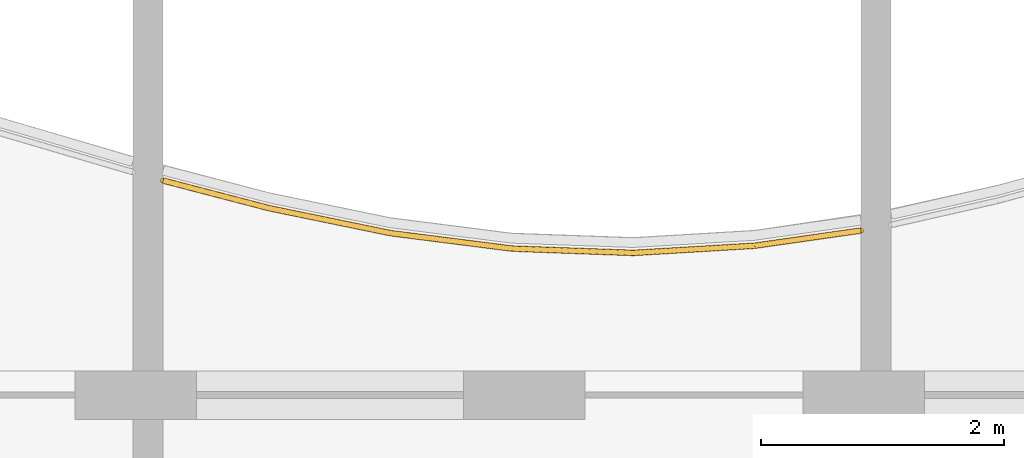
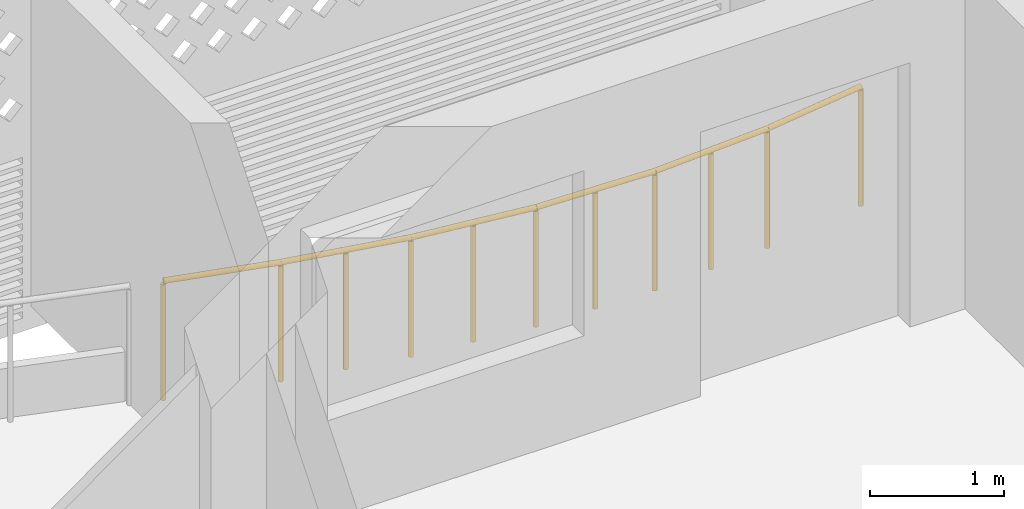
# One storey, part 23 of 26: 1 railing.
"""IFC4 building model written with IfcOpenShell, lengths in metres."""

from ifc_helpers import new_model, si_unit, direction, frame, origin, origin_2d, place, context, subcontext, project, spatial, circle, extrude, material, type_object, element, save


model = new_model("IFC4")

# Units and contexts
model_context = context("Model", 3, precision=1e-05, world=origin(), true_north=direction((0.0, 1.0)))
body_context = subcontext(model_context, "Body", "Model", "MODEL_VIEW")
ifc_project = project(units=[si_unit("LENGTHUNIT", "METRE"), si_unit("AREAUNIT", "SQUARE_METRE"), si_unit("VOLUMEUNIT", "CUBIC_METRE"), si_unit("PLANEANGLEUNIT", "RADIAN"), si_unit("MASSUNIT", "GRAM", prefix="KILO")], contexts=[model_context])

# Site, building, storey
site_placement = place(None, origin())
site = spatial("IfcSite", under=ifc_project, at=site_placement, CompositionType="ELEMENT")
building_placement = place(site_placement, origin())
building = spatial("IfcBuilding", under=site, at=building_placement, Name="Poui Terraces", CompositionType="ELEMENT")
storey_placement = place(building_placement, frame((0.0, 0.0, 241.199951171875)))
storey = spatial("IfcBuildingStorey", under=building, at=storey_placement, Name="L67", CompositionType="ELEMENT", Elevation=241.199951171875)

# Railing
ifc_material = material(Name="Painted steel fretwork", Category="steel")
railing_type = type_object("IfcRailingType", Name="BALCONY GUARD 1100", PredefinedType="GUARDRAIL", material=ifc_material)
railing_placement = place(storey_placement, frame((66.125, 42.967041015625, 0.0)))
element("IfcRailing", 1, at=railing_placement, inside=storey, type_object=railing_type, Name="BALCONY GUARD", PredefinedType="GUARDRAIL", context=body_context, shape_type="SweptSolid", body=[
    extrude(circle(Radius=0.02392578125, at=origin_2d()), frame((0.0, 0.0, 1.076171875), z_axis=(0.967746181344, -0.25192722857, 0.0), x_axis=(0.25192722857, 0.967746181344, 0.0)), (0.0, 0.0, 1.0), 0.904052734375),
    extrude(circle(Radius=0.02392578125, at=origin_2d()), frame((0.875, -0.227783203125, 1.076171875), z_axis=(0.979518122884, -0.201356020378, 0.0), x_axis=(0.201356020378, 0.979518122884, 0.0)), (0.0, 0.0, 1.0), 1.02099609375),
    extrude(circle(Radius=0.02392578125, at=origin_2d()), frame((1.875, -0.433349609375, 1.076171875), z_axis=(0.992007284566, -0.126180614077, 0.0), x_axis=(0.126180614077, 0.992007284566, 0.0)), (0.0, 0.0, 1.0), 1.008056640625),
    extrude(circle(Radius=0.02392578125, at=origin_2d()), frame((2.875, -0.560546875, 1.076171875), z_axis=(0.999365338401, -0.035621909035, 0.0), x_axis=(0.035621909035, 0.999365338401, 0.0)), (0.0, 0.0, 1.0), 1.000732421875),
    extrude(circle(Radius=0.02392578125, at=origin_2d()), frame((3.875, -0.59619140625, 1.076171875), z_axis=(0.998244834412, 0.05922204462, 0.0), x_axis=(-0.05922204462, 0.998244834412, 0.0)), (0.0, 0.0, 1.0), 1.001708984375),
    extrude(circle(Radius=0.02392578125, at=origin_2d()), frame((4.875, -0.536865234375, 1.076171875), z_axis=(0.989910788266, 0.141692029682, 0.0), x_axis=(-0.141692029682, 0.989910788266, 0.0)), (0.0, 0.0, 1.0), 0.884033203125),
    extrude(circle(Radius=0.02099609375, at=origin_2d()), origin(), (0.0, 0.0, 1.0), 1.052001953125),
    extrude(circle(Radius=0.02099609375, at=origin_2d()), frame((0.875, -0.227783203125, 0.0)), (0.0, 0.0, 1.0), 1.052001953125),
    extrude(circle(Radius=0.02099609375, at=origin_2d()), frame((1.375, -0.33056640625, 0.0)), (0.0, 0.0, 1.0), 1.052001953125),
    extrude(circle(Radius=0.02099609375, at=origin_2d()), frame((1.875, -0.433349609375, 0.0)), (0.0, 0.0, 1.0), 1.052001953125),
    extrude(circle(Radius=0.02099609375, at=origin_2d()), frame((2.375, -0.4970703125, 0.0)), (0.0, 0.0, 1.0), 1.052001953125),
    extrude(circle(Radius=0.02099609375, at=origin_2d()), frame((2.875, -0.560546875, 0.0)), (0.0, 0.0, 1.0), 1.052001953125),
    extrude(circle(Radius=0.02099609375, at=origin_2d()), frame((3.375, -0.578369140625, 0.0)), (0.0, 0.0, 1.0), 1.052001953125),
    extrude(circle(Radius=0.02099609375, at=origin_2d()), frame((3.875, -0.59619140625, 0.0)), (0.0, 0.0, 1.0), 1.052001953125),
    extrude(circle(Radius=0.02099609375, at=origin_2d()), frame((4.375, -0.56640625, 0.0)), (0.0, 0.0, 1.0), 1.052001953125),
    extrude(circle(Radius=0.02099609375, at=origin_2d()), frame((4.875, -0.536865234375, 0.0)), (0.0, 0.0, 1.0), 1.052001953125),
    extrude(circle(Radius=0.02099609375, at=origin_2d()), frame((5.75, -0.41162109375, 0.0)), (0.0, 0.0, 1.0), 1.052001953125),
])

save(model, "model.ifc")
